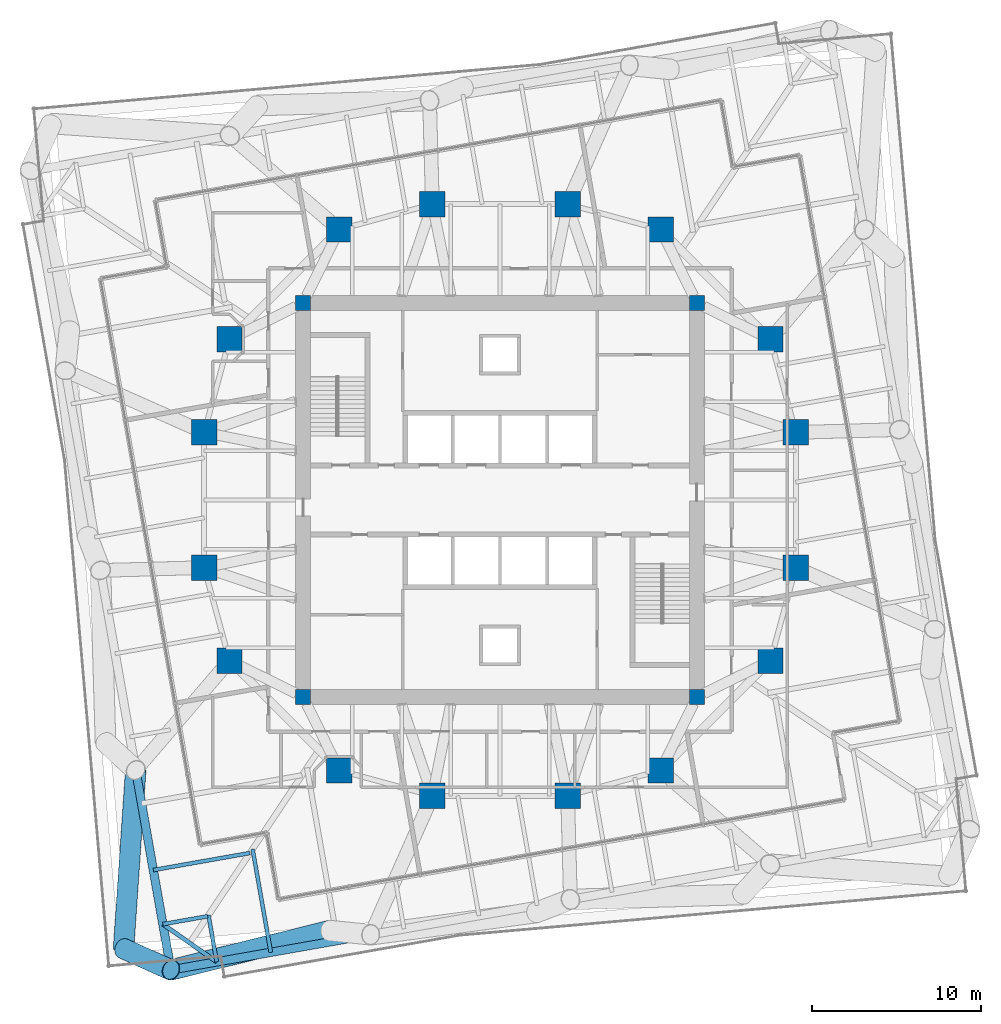
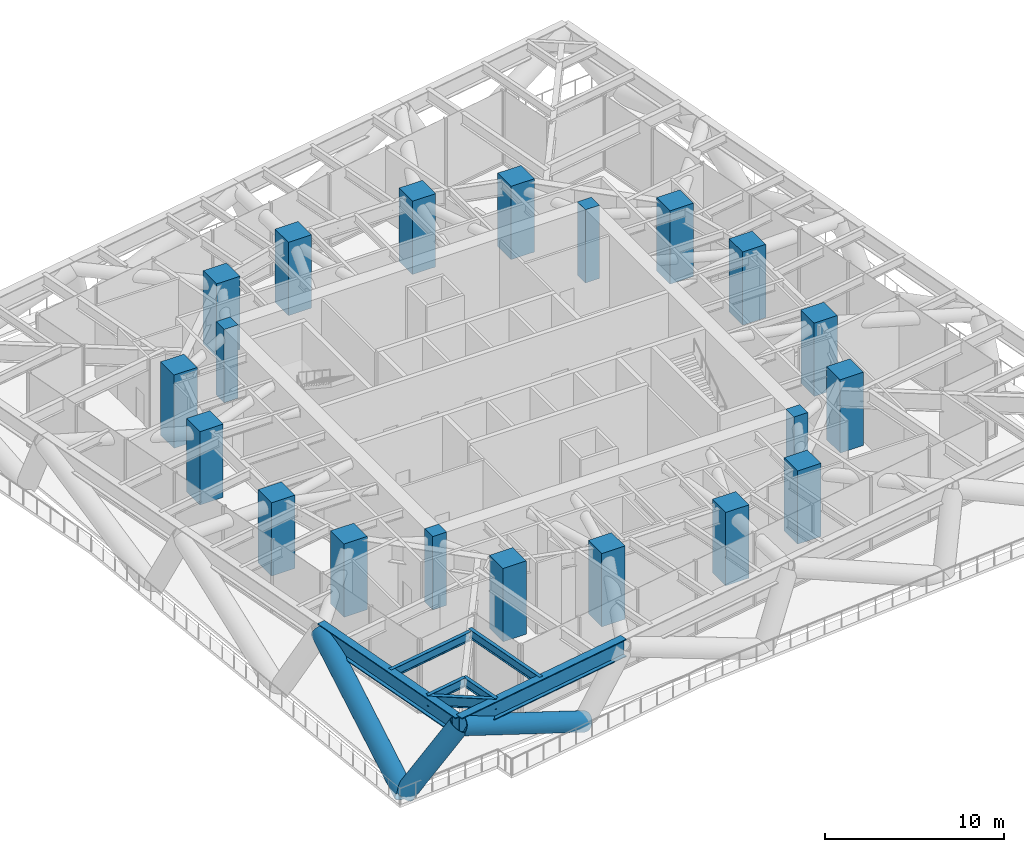
# One storey, part 1 of 15: 20 columns, 7 beams, 3 members.
"""IFC4 building model written with IfcOpenShell, lengths in metres."""

from ifc_helpers import new_model, si_unit, direction, frame, origin, origin_2d, place, context, subcontext, project, spatial, rectangle, hollow_circle, i_section, extrude, material, material_profile, profile_set, type_object, element, save


model = new_model("IFC4")

# Units and contexts
model_context = context("Model", 3, precision=1e-05, world=origin(), true_north=direction((0.0, 1.0)))
body_context = subcontext(model_context, "Body", "Model", "MODEL_VIEW")
ifc_project = project(units=[si_unit("LENGTHUNIT", "METRE"), si_unit("AREAUNIT", "SQUARE_METRE"), si_unit("VOLUMEUNIT", "CUBIC_METRE"), si_unit("PLANEANGLEUNIT", "RADIAN"), si_unit("MASSUNIT", "GRAM", prefix="KILO")], contexts=[model_context])

# Site, building, storey
site_placement = place(None, origin())
site = spatial("IfcSite", under=ifc_project, at=site_placement, CompositionType="ELEMENT")
building_placement = place(site_placement, origin())
building = spatial("IfcBuilding", under=site, at=building_placement, Name="Torsade Residences", CompositionType="ELEMENT")
storey_placement = place(building_placement, frame((0.0, 0.0, 74.39990234375)))
storey = spatial("IfcBuildingStorey", under=building, at=storey_placement, Name="L20", CompositionType="ELEMENT", Elevation=74.39990234375)

# Columns
ifc_material_1 = material(Name="Concrete 80 MPa", Category="concrete")
ifc_material_profile_1 = material_profile(ifc_material_1, rectangle(XDim=0.89990234375, YDim=0.89990234375, at=origin_2d()), Name="RC 900x900")
ifc_profile_set_1 = profile_set([ifc_material_profile_1], Name="Concrete 80 MPa")
column_type_1 = type_object("IfcColumnType", Name="CORE CORNER COLUMN RC 900x900", PredefinedType="COLUMN", material=ifc_profile_set_1)
for number, where, z_axis, x_axis, name in (
    (1, (28.35009765625, 18.35009765625, 0.0), (0.0, 0.0, 1.0), (1.0, 0.0, 0.0), "Core corner column CC1 L20"),
    (2, (51.64990234375, 18.35009765625, 0.0), (0.0, 0.0, 1.0), (1.0, 0.0, 0.0), "Core corner column CC2 L20"),
    (3, (51.64990234375, 41.64990234375, 0.0), (0.0, 0.0, 1.0), (1.0, 0.0, 0.0), "Core corner column CC3 L20"),
    (4, (28.35009765625, 41.64990234375, 0.0), (0.0, 0.0, 1.0), (1.0, 0.0, 0.0), "Core corner column CC4 L20"),
):
    element("IfcColumn", number, at=place(storey_placement, frame(where, z_axis=z_axis, x_axis=x_axis)), inside=storey, type_object=column_type_1, Name=name, PredefinedType="COLUMN", context=body_context, shape_type="SweptSolid", body=[
        extrude(rectangle(XDim=0.89990234375, YDim=0.89990234375, at=origin_2d()), origin(), (0.0, 0.0, 1.0), 5.0),
    ])
ifc_material_2 = material(Name="Concrete 80 MPa", Category="concrete")
ifc_material_profile_2 = material_profile(ifc_material_2, rectangle(XDim=1.5, YDim=1.5, at=origin_2d()), Name="RC 1500x1500")
ifc_profile_set_2 = profile_set([ifc_material_profile_2], Name="Concrete 80 MPa")
column_type_2 = type_object("IfcColumnType", Name="INNER RING COLUMN RC 1500x1500", PredefinedType="COLUMN", material=ifc_profile_set_2)
for number, where, z_axis, x_axis, name in (
    (5, (57.5, 26.0, 0.0), (0.0, 0.0, 1.0), (1.0, 0.0, 0.0), "Inner ring column IR01 L20"),
    (6, (57.5, 34.0, 0.0), (0.0, 0.0, 1.0), (1.0, 0.0, 0.0), "Inner ring column IR02 L20"),
    (7, (56.0, 39.5, 0.0), (0.0, 0.0, 1.0), (1.0, 0.0, 0.0), "Inner ring column IR03 L20"),
    (8, (49.5, 46.0, 0.0), (0.0, 0.0, 1.0), (1.0, 0.0, 0.0), "Inner ring column IR04 L20"),
    (9, (44.0, 47.5, 0.0), (0.0, 0.0, 1.0), (1.0, 0.0, 0.0), "Inner ring column IR05 L20"),
    (10, (36.0, 47.5, 0.0), (0.0, 0.0, 1.0), (1.0, 0.0, 0.0), "Inner ring column IR06 L20"),
    (11, (30.5, 46.0, 0.0), (0.0, 0.0, 1.0), (1.0, 0.0, 0.0), "Inner ring column IR07 L20"),
    (12, (24.0, 39.5, 0.0), (0.0, 0.0, 1.0), (1.0, 0.0, 0.0), "Inner ring column IR08 L20"),
    (13, (22.5, 34.0, 0.0), (0.0, 0.0, 1.0), (1.0, 0.0, 0.0), "Inner ring column IR09 L20"),
    (14, (22.5, 26.0, 0.0), (0.0, 0.0, 1.0), (1.0, 0.0, 0.0), "Inner ring column IR10 L20"),
    (15, (24.0, 20.5, 0.0), (0.0, 0.0, 1.0), (1.0, 0.0, 0.0), "Inner ring column IR11 L20"),
    (16, (30.5, 14.0, 0.0), (0.0, 0.0, 1.0), (1.0, 0.0, 0.0), "Inner ring column IR12 L20"),
    (17, (36.0, 12.5, 0.0), (0.0, 0.0, 1.0), (1.0, 0.0, 0.0), "Inner ring column IR13 L20"),
    (18, (44.0, 12.5, 0.0), (0.0, 0.0, 1.0), (1.0, 0.0, 0.0), "Inner ring column IR14 L20"),
    (19, (49.5, 14.0, 0.0), (0.0, 0.0, 1.0), (1.0, 0.0, 0.0), "Inner ring column IR15 L20"),
    (20, (56.0, 20.5, 0.0), (0.0, 0.0, 1.0), (1.0, 0.0, 0.0), "Inner ring column IR16 L20"),
):
    element("IfcColumn", number, at=place(storey_placement, frame(where, z_axis=z_axis, x_axis=x_axis)), inside=storey, type_object=column_type_2, Name=name, PredefinedType="COLUMN", context=body_context, shape_type="SweptSolid", body=[
        extrude(rectangle(XDim=1.5, YDim=1.5, at=origin_2d()), origin(), (0.0, 0.0, 1.0), 5.0),
    ])

# Beams
ifc_material_3 = material(Name="Steel grade 300", Category="steel")
ifc_material_profile_3 = material_profile(ifc_material_3, i_section(OverallWidth=0.25, OverallDepth=0.699951171875, WebThickness=0.010009765625, FlangeThickness=0.02001953125, at=origin_2d()), Name="700WB130")
ifc_profile_set_3 = profile_set([ifc_material_profile_3], Name="Steel grade 300")
beam_type_1 = type_object("IfcBeamType", Name="CORNER TRIMMER 700WB130", PredefinedType="BEAM", material=ifc_profile_set_3)
beam_1_placement = place(storey_placement, frame((23.240478515625, 2.674560546875, 4.5), z_axis=(-0.819152285145, 0.573576092373, 0.0), x_axis=(-0.573576092373, -0.819152285145, 0.0)))
element("IfcBeam", 21, at=beam_1_placement, inside=storey, type_object=beam_type_1, Name="Corner trimmer 01 L21", PredefinedType="BEAM", context=body_context, shape_type="SweptSolid", body=[
    extrude(i_section(OverallWidth=0.25, OverallDepth=0.699951171875, WebThickness=0.010009765625, FlangeThickness=0.02001953125, at=origin_2d()), origin(), (0.0, 0.0, 1.0), 3.88916015625),
])
ifc_material_4 = material(Name="Steel grade 300", Category="steel")
ifc_material_profile_4 = material_profile(ifc_material_4, i_section(OverallWidth=0.22900390625, OverallDepth=0.612060546875, WebThickness=0.011962890625, FlangeThickness=0.01953125, FilletRadius=0.013916015625, at=origin_2d()), Name="610UB125")
ifc_profile_set_4 = profile_set([ifc_material_profile_4], Name="Steel grade 300")
beam_type_2 = type_object("IfcBeamType", Name="SECONDARY BEAM 610UB125", PredefinedType="JOIST", material=ifc_profile_set_4)
beam_2_placement = place(storey_placement, frame((23.240478515625, 2.674560546875, 4.544189453125), z_axis=(-0.173646578627, 0.984808034965, 0.0), x_axis=(-0.984808034965, -0.173646578627, 0.0)))
element("IfcBeam", 22, at=beam_2_placement, inside=storey, type_object=beam_type_2, Name="Floor beam FS01 L21", PredefinedType="JOIST", context=body_context, shape_type="SweptSolid", body=[
    extrude(i_section(OverallWidth=0.22900390625, OverallDepth=0.612060546875, WebThickness=0.011962890625, FlangeThickness=0.01953125, FilletRadius=0.013916015625, at=origin_2d()), origin(), (0.0, 0.0, 1.0), 2.810546875),
])
beam_3_placement = place(storey_placement, frame((26.44091796875, 3.239013671875, 4.544189453125), z_axis=(-0.173646127458, 0.984808114517, 0.0), x_axis=(-0.984808114517, -0.173646127458, 0.0)))
element("IfcBeam", 23, at=beam_3_placement, inside=storey, type_object=beam_type_2, Name="Floor beam FS02 L21", PredefinedType="JOIST", context=body_context, shape_type="SweptSolid", body=[
    extrude(i_section(OverallWidth=0.22900390625, OverallDepth=0.612060546875, WebThickness=0.011962890625, FlangeThickness=0.01953125, FilletRadius=0.013916015625, at=origin_2d()), origin(), (0.0, 0.0, 1.0), 6.203125),
])
beam_4_placement = place(storey_placement, frame((19.490234375, 8.10595703125, 4.544189453125), z_axis=(0.984808104745, 0.17364618288, 0.0), x_axis=(-0.17364618288, 0.984808104745, 0.0)))
element("IfcBeam", 24, at=beam_4_placement, inside=storey, type_object=beam_type_2, Name="Floor beam FW11 L21", PredefinedType="JOIST", context=body_context, shape_type="SweptSolid", body=[
    extrude(i_section(OverallWidth=0.22900390625, OverallDepth=0.612060546875, WebThickness=0.011962890625, FlangeThickness=0.01953125, FilletRadius=0.013916015625, at=origin_2d()), origin(), (0.0, 0.0, 1.0), 5.80517578125),
])
beam_5_placement = place(storey_placement, frame((20.0546875, 4.9052734375, 4.544189453125), z_axis=(0.984803637964, 0.173671513648, 0.0), x_axis=(-0.173671513648, 0.984803637964, 0.0)))
element("IfcBeam", 25, at=beam_5_placement, inside=storey, type_object=beam_type_2, Name="Floor beam FW12 L21", PredefinedType="JOIST", context=body_context, shape_type="SweptSolid", body=[
    extrude(i_section(OverallWidth=0.22900390625, OverallDepth=0.612060546875, WebThickness=0.011962890625, FlangeThickness=0.01953125, FilletRadius=0.013916015625, at=origin_2d()), origin(), (0.0, 0.0, 1.0), 2.692138671875),
])
ifc_material_5 = material(Name="Steel grade 350", Category="steel")
ifc_material_profile_5 = material_profile(ifc_material_5, i_section(OverallWidth=0.5, OverallDepth=1.199951171875, WebThickness=0.035888671875, FlangeThickness=0.06005859375, at=origin_2d()), Name="1200x500x60x36WPG")
ifc_profile_set_5 = profile_set([ifc_material_profile_5], Name="Steel grade 350")
beam_type_3 = type_object("IfcBeamType", Name="TRANSFER TRUSS CHORD 1200x500x60x36WPG", PredefinedType="USERDEFINED", material=ifc_profile_set_5)
for number, where, z_axis, x_axis, name in (
    (26, (20.5322265625, 2.197021484375, 4.25), (0.984808127031, 0.173646056486, 0.0), (-0.173646056486, 0.984808127031, 0.0), "Transfer truss TT2 top chord 01"),
    (27, (18.448486328125, 14.0146484375, 4.25), (0.173646056486, -0.984808127031, 0.0), (0.984808127031, 0.173646056486, 0.0), "Transfer truss TT2 top chord 16"),
):
    element("IfcBeam", number, at=place(storey_placement, frame(where, z_axis=z_axis, x_axis=x_axis)), inside=storey, type_object=beam_type_3, Name=name, ObjectType="TRANSFER TRUSS CHORD", PredefinedType="USERDEFINED", context=body_context, shape_type="SweptSolid", body=[
        extrude(i_section(OverallWidth=0.5, OverallDepth=1.199951171875, WebThickness=0.035888671875, FlangeThickness=0.06005859375, at=origin_2d()), origin(), (0.0, 0.0, 1.0), 12.0),
    ])

# Members
ifc_material_6 = material(Name="Steel grade 450", Category="steel")
ifc_material_profile_6 = material_profile(ifc_material_6, hollow_circle(Radius=0.609619140625, WallThickness=0.0400390625, at=origin_2d()), Name="1219.0x40.0CHS")
ifc_profile_set_6 = profile_set([ifc_material_profile_6], Name="Steel grade 450")
member_type_1 = type_object("IfcMemberType", Name="TRANSFER TRUSS DIAGONAL 1219.0x40.0CHS", PredefinedType="BRACE", material=ifc_profile_set_6)
member_1_placement = place(storey_placement, frame((29.931884765625, 4.525634765625, -0.199951171875), z_axis=(-0.881992315258, -0.218499329964, 0.417549516382), x_axis=(0.240464785266, -0.970657863022, 0.0)))
element("IfcMember", 28, at=member_1_placement, inside=storey, type_object=member_type_1, Name="Transfer truss TT2 diagonal 01", PredefinedType="BRACE", context=body_context, shape_type="SweptSolid", body=[
    extrude(hollow_circle(Radius=0.609619140625, WallThickness=0.0400390625, at=origin_2d()), origin(), (0.0, 0.0, 1.0), 10.6572265625),
])
member_2_placement = place(storey_placement, frame((17.728515625, 3.4580078125, -0.199951171875), z_axis=(0.062721718371, 0.919663310403, 0.387666585539), x_axis=(-0.997682411323, 0.068042678793, 0.0)))
element("IfcMember", 29, at=member_2_placement, inside=storey, type_object=member_type_1, Name="Transfer truss TT2 diagonal 16", PredefinedType="BRACE", context=body_context, shape_type="SweptSolid", body=[
    extrude(hollow_circle(Radius=0.609619140625, WallThickness=0.0400390625, at=origin_2d()), origin(), (0.0, 0.0, 1.0), 11.478759765625),
])
ifc_material_7 = material(Name="Steel grade 450", Category="steel")
ifc_material_profile_7 = material_profile(ifc_material_7, hollow_circle(Radius=0.609619140625, WallThickness=0.0400390625, at=origin_2d()), Name="1219.0x40.0CHS")
ifc_profile_set_7 = profile_set([ifc_material_profile_7], Name="Steel grade 450")
member_type_2 = type_object("IfcMemberType", Name="TRANSFER TRUSS RAKING STRUT 1219.0x40.0CHS", PredefinedType="STRUT", material=ifc_profile_set_7)
member_3_placement = place(storey_placement, frame((17.728515625, 3.4580078125, -0.199951171875), z_axis=(0.518380222671, -0.23314471004, 0.822754817017), x_axis=(0.410179751892, 0.912004699077, 0.0)))
element("IfcMember", 30, at=member_3_placement, inside=storey, type_object=member_type_2, Name="Transfer truss TT2 raking strut 01", PredefinedType="STRUT", context=body_context, shape_type="SweptSolid", body=[
    extrude(hollow_circle(Radius=0.609619140625, WallThickness=0.0400390625, at=origin_2d()), origin(), (0.0, 0.0, 1.0), 5.40869140625),
])

save(model, "model.ifc")
